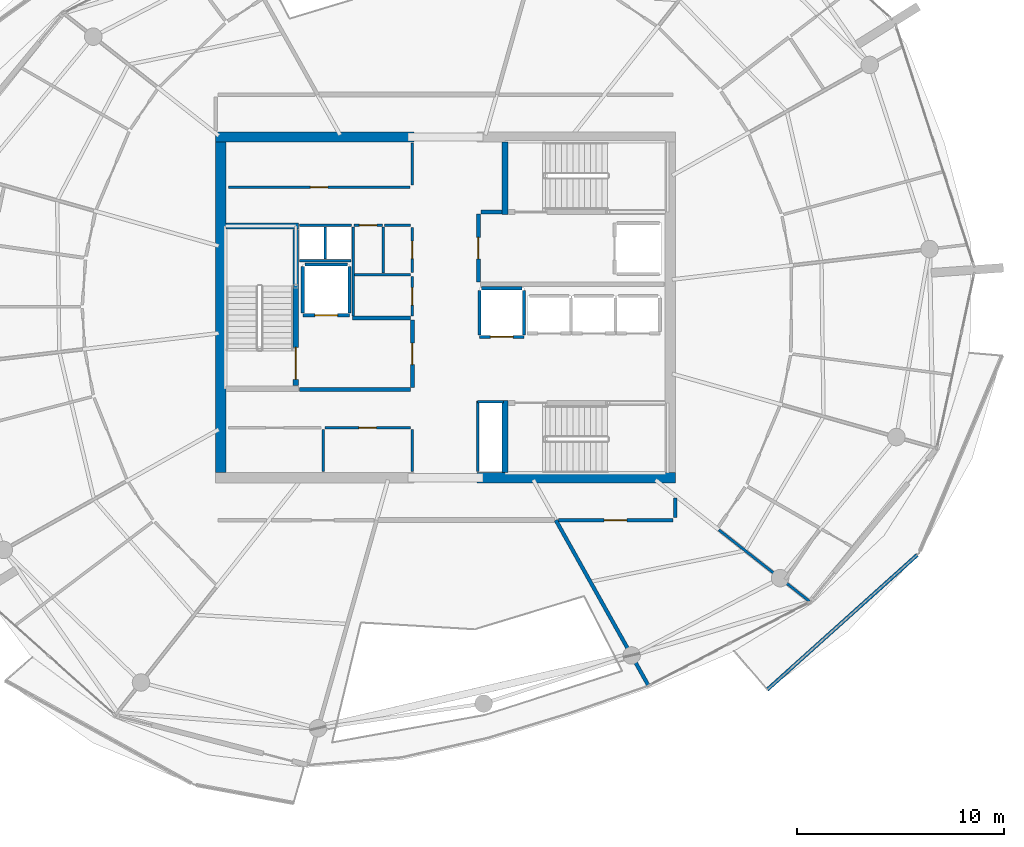
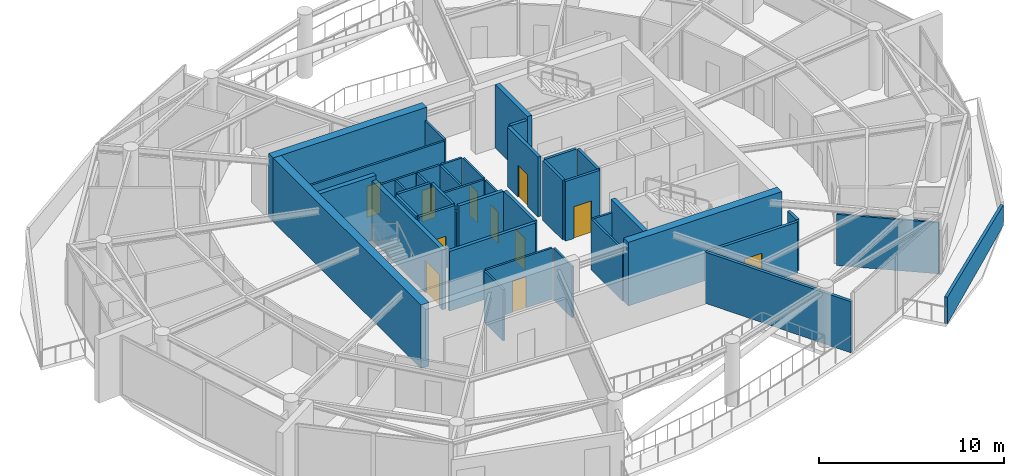
# One storey, part 14 of 22: 42 walls, 11 doors, 11 openings.
"""IFC4 building model written with IfcOpenShell, lengths in metres."""

from ifc_helpers import new_model, si_unit, direction, frame, frame_2d, origin, place, context, subcontext, project, spatial, polyline, rectangle, outline, extrude, material, layer, layer_set, type_object, element, fill, save


model = new_model("IFC4")

# Units and contexts
model_context = context("Model", 3, precision=1e-05, world=origin(), true_north=direction((0.0, 1.0)))
body_context = subcontext(model_context, "Body", "Model", "MODEL_VIEW")
ifc_project = project(units=[si_unit("LENGTHUNIT", "METRE"), si_unit("AREAUNIT", "SQUARE_METRE"), si_unit("VOLUMEUNIT", "CUBIC_METRE"), si_unit("PLANEANGLEUNIT", "RADIAN"), si_unit("MASSUNIT", "GRAM", prefix="KILO")], contexts=[model_context])

# Site, building, storey
site_placement = place(None, origin())
site = spatial("IfcSite", under=ifc_project, at=site_placement, CompositionType="ELEMENT")
building_placement = place(site_placement, origin())
building = spatial("IfcBuilding", under=site, at=building_placement, Name="Kazma Halo Residences", CompositionType="ELEMENT")
storey_placement = place(building_placement, frame((0.0, 0.0, 322.10009765625)))
storey = spatial("IfcBuildingStorey", under=building, at=storey_placement, Name="L81", CompositionType="ELEMENT", Elevation=322.10009765625)

# Walls
ifc_material_1 = material(Name="White Concrete C50/60 Balustrade", Category="concrete")
ifc_layer_1 = layer(ifc_material_1, 0.179931640625)
ifc_layer_set_1 = layer_set([ifc_layer_1], Name="White Concrete C50/60 Balustrade")
wall_type_1 = type_object("IfcWallType", Name="WL-BAL-WAVE-180", PredefinedType="PARAPET", material=ifc_layer_set_1)
wall_1_placement = place(storey_placement, frame((64.003173828125, 23.492919921875, 0.0), z_axis=(0.0, 0.0, 1.0), x_axis=(0.74390919155, 0.668280715514, 0.0)))
element("IfcWall", 1, at=wall_1_placement, inside=storey, type_object=wall_type_1, Name="L81 white wave balustrade wall SE.1", PredefinedType="PARAPET", context=body_context, shape_type="SweptSolid", body=[
    extrude(outline(polyline([(0.0, 0.0), (9.76513671875, 0.0), (9.76513671875, 1.347900390625), (4.882568359375, 1.56201171875), (0.0, 1.746826171875), (0.0, 0.0)])), frame((0.0, 0.08984375, 0.0), z_axis=(0.0, -1.0, 0.0), x_axis=(1.0, 0.0, 0.0)), (0.0, 0.0, 1.0), 0.179931640625),
])
ifc_material_2 = material(Name="Concrete C60/75", Category="concrete")
ifc_layer_2 = layer(ifc_material_2, 0.5)
ifc_layer_set_2 = layer_set([ifc_layer_2], Name="Concrete C60/75")
wall_type_2 = type_object("IfcWallType", Name="WL-CORE-500", PredefinedType="SHEAR", material=ifc_layer_set_2)
wall_2_placement = place(storey_placement, frame((49.949951171875, 33.75, 0.0), z_axis=(0.0, 0.0, 1.0), x_axis=(1.0, 0.0, 0.0)))
element("IfcWall", 2, at=wall_2_placement, inside=storey, type_object=wall_type_2, Name="L81 central core shear wall SE", PredefinedType="SHEAR", context=body_context, shape_type="SweptSolid", body=[
    extrude(rectangle(XDim=9.60009765625, YDim=0.5, at=frame_2d((4.800048828125, 0.0))), origin(), (0.0, 0.0, 1.0), 4.199951171875),
])
wall_3_placement = place(storey_placement, frame((37.300048828125, 50.25, 0.0), z_axis=(0.0, 0.0, 1.0), x_axis=(1.0, 0.0, 0.0)))
element("IfcWall", 3, at=wall_3_placement, inside=storey, type_object=wall_type_2, Name="L81 central core shear wall NW", PredefinedType="SHEAR", context=body_context, shape_type="SweptSolid", body=[
    extrude(rectangle(XDim=9.599853515625, YDim=0.5, at=frame_2d((4.7998046875, 0.0))), origin(), (0.0, 0.0, 1.0), 4.199951171875),
])
wall_4_placement = place(storey_placement, frame((37.550048828125, 34.0, 0.0), z_axis=(0.0, 0.0, 1.0), x_axis=(0.0, 1.0, 0.0)))
element("IfcWall", 4, at=wall_4_placement, inside=storey, type_object=wall_type_2, Name="L81 central core shear wall W", PredefinedType="SHEAR", context=body_context, shape_type="SweptSolid", body=[
    extrude(rectangle(XDim=16.0, YDim=0.5, at=frame_2d((8.0, 0.0))), origin(), (0.0, 0.0, 1.0), 4.199951171875),
])
ifc_layer_3 = layer(ifc_material_2, 0.280029296875)
ifc_layer_set_3 = layer_set([ifc_layer_3], Name="Concrete C60/75")
wall_type_3 = type_object("IfcWallType", Name="WL-CORE-ST-280", PredefinedType="SHEAR", material=ifc_layer_set_3)
for number, where, z_axis, x_axis, name in (
    (5, (37.800048828125, 45.93994140625, 0.0), (0.0, 0.0, 1.0), (1.0, 0.0, 0.0), "L81 stairwell bearing wall ST01-N"),
    (6, (51.31005859375, 46.5, 0.0), (0.0, 0.0, 1.0), (0.0, 1.0, 0.0), "L81 stairwell bearing wall ST02-W"),
    (7, (51.31005859375, 34.0, 0.0), (0.0, 0.0, 1.0), (0.0, 1.0, 0.0), "L81 stairwell bearing wall ST03-W"),
):
    element("IfcWall", number, at=place(storey_placement, frame(where, z_axis=z_axis, x_axis=x_axis)), inside=storey, type_object=wall_type_3, Name=name, PredefinedType="SHEAR", context=body_context, shape_type="SweptSolid", body=[
        extrude(rectangle(XDim=3.5, YDim=0.280029296875, at=frame_2d((1.75, 0.0))), origin(), (0.0, 0.0, 1.0), 4.199951171875),
    ])
ifc_material_3 = material(Name="Acoustic Twin-Stud Gypsum")
ifc_layer_4 = layer(ifc_material_3, 0.179931640625)
ifc_layer_set_4 = layer_set([ifc_layer_4], Name="Acoustic Twin-Stud Gypsum")
wall_type_4 = type_object("IfcWallType", Name="WL-DEM-180", PredefinedType="PARTITIONING", material=ifc_layer_set_4)
wall_5_placement = place(storey_placement, frame((53.768310546875, 31.699951171875, 0.0), z_axis=(0.0, 0.0, 1.0), x_axis=(0.488623665245, -0.872494649704, 0.0)))
element("IfcWall", 8, at=wall_5_placement, inside=storey, type_object=wall_type_4, Name="L81 apartment demising radial wall 12", PredefinedType="PARTITIONING", context=body_context, shape_type="SweptSolid", body=[
    extrude(rectangle(XDim=9.156982421875, YDim=0.179931640625, at=frame_2d((4.57861328125, 0.0))), origin(), (0.0, 0.0, 1.0), 3.3798828125),
])

# Wall, opening, door
wall_6_placement = place(storey_placement, frame((53.88818359375, 31.699951171875, 0.0), z_axis=(0.0, 0.0, 1.0), x_axis=(1.0, 0.0, 0.0)))
wall_6 = element("IfcWall", 9, at=wall_6_placement, inside=storey, type_object=wall_type_4, Name="L81 Penthouse 2 entrance corridor wall", PredefinedType="PARTITIONING", context=body_context, shape_type="SweptSolid", body=[
    extrude(rectangle(XDim=5.541748046875, YDim=0.179931640625, at=frame_2d((2.77099609375, 0.0))), origin(), (0.0, 0.0, 1.0), 3.3798828125),
])
opening_1_placement = place(wall_6_placement, frame((2.220703125, 0.0, 0.0)))
opening_1 = element("IfcOpeningElement", 10, at=opening_1_placement, cuts=wall_6, Name="Opening DA-1100", PredefinedType="OPENING", context=body_context, shape_type="SweptSolid", body=[
    extrude(rectangle(XDim=1.10009765625, YDim=2.10009765625, at=frame_2d((0.550048828125, 1.050048828125))), frame((0.0, 0.099853515625, 0.0), z_axis=(0.0, -1.0, 0.0), x_axis=(1.0, 0.0, 0.0)), (0.0, 0.0, 1.0), 0.199951171875),
])
ifc_material_4 = material(Name="Acoustic Walnut Fire Leaf")
door_type_1 = type_object("IfcDoorType", Name="DR-FD60-1100", OperationType="NOTDEFINED", PredefinedType="DOOR", material=ifc_material_4)
door_1_placement = place(opening_1_placement, origin())
door_1 = element("IfcDoor", 11, at=door_1_placement, inside=storey, type_object=door_type_1, Name="L81 Penthouse 2 entrance fire door", OperationType="SINGLE_SWING_RIGHT", OverallHeight=2.10009765625, OverallWidth=1.10009765625, PredefinedType="DOOR", context=body_context, shape_type="SweptSolid", body=[
    extrude(rectangle(XDim=1.10009765625, YDim=2.10009765625, at=frame_2d((0.550048828125, 1.050048828125))), frame((0.0, 0.02490234375, 0.0), z_axis=(0.0, -1.0, 0.0), x_axis=(1.0, 0.0, 0.0)), (0.0, 0.0, 1.0), 0.050048828125),
])
fill(opening_1, door_1)

# Wall
wall_7_placement = place(storey_placement, frame((59.550048828125, 31.820068359375, 0.0), z_axis=(0.0, 0.0, 1.0), x_axis=(0.0, 1.0, 0.0)))
element("IfcWall", 12, at=wall_7_placement, inside=storey, type_object=wall_type_4, Name="L81 Penthouse 2 entrance corridor wall", PredefinedType="PARTITIONING", context=body_context, shape_type="SweptSolid", body=[
    extrude(rectangle(XDim=0.95458984375, YDim=0.179931640625, at=frame_2d((0.477294921875, 0.0))), origin(), (0.0, 0.0, 1.0), 3.3798828125),
])

# Wall, opening, door
ifc_material_5 = material(Name="Fire-Rated Blockwork Masonry", Category="masonry")
ifc_layer_5 = layer(ifc_material_5, 0.199951171875)
ifc_layer_set_5 = layer_set([ifc_layer_5], Name="Fire-Rated Blockwork Masonry")
wall_type_5 = type_object("IfcWallType", Name="WL-FLB-200", PredefinedType="PARTITIONING", material=ifc_layer_set_5)
wall_8_placement = place(storey_placement, frame((43.780029296875, 41.6201171875, 0.0), z_axis=(0.0, 0.0, 1.0), x_axis=(-1.0, 0.0, 0.0)))
wall_8 = element("IfcWall", 13, at=wall_8_placement, inside=storey, type_object=wall_type_5, Name="L81 lift shaft FL-01 front wall", PredefinedType="PARTITIONING", context=body_context, shape_type="SweptSolid", body=[
    extrude(rectangle(XDim=2.260009765625, YDim=0.159912109375, at=frame_2d((1.1298828125, 0.0))), origin(), (0.0, 0.0, 1.0), 3.93994140625),
])
opening_2_placement = place(wall_8_placement, frame((0.580078125, 0.0, 0.0)))
opening_2 = element("IfcOpeningElement", 14, at=opening_2_placement, cuts=wall_8, Name="Opening LD-FL-01", PredefinedType="OPENING", context=body_context, shape_type="SweptSolid", body=[
    extrude(rectangle(XDim=1.10009765625, YDim=2.10009765625, at=frame_2d((0.550048828125, 1.050048828125))), frame((0.0, 0.08984375, 0.0), z_axis=(0.0, -1.0, 0.0), x_axis=(1.0, 0.0, 0.0)), (0.0, 0.0, 1.0), 0.179931640625),
])
ifc_material_6 = material(Name="Stainless Steel Fire-Rated", Category="steel")
door_type_2 = type_object("IfcDoorType", Name="DR-LIFT-SLD-1100", OperationType="DOUBLE_DOOR_SLIDING", PredefinedType="DOOR", material=ifc_material_6)
door_2_placement = place(opening_2_placement, origin())
door_2 = element("IfcDoor", 15, at=door_2_placement, inside=storey, type_object=door_type_2, Name="L81 lift FL-01 sliding landing door", OperationType="DOUBLE_DOOR_SLIDING", OverallHeight=2.10009765625, OverallWidth=1.10009765625, PredefinedType="DOOR", context=body_context, shape_type="SweptSolid", body=[
    extrude(rectangle(XDim=1.10009765625, YDim=2.10009765625, at=frame_2d((0.550048828125, 1.050048828125))), frame((0.0, 0.02490234375, 0.0), z_axis=(0.0, -1.0, 0.0), x_axis=(1.0, 0.0, 0.0)), (0.0, 0.0, 1.0), 0.050048828125),
])
fill(opening_2, door_2)

# Walls
for number, where, z_axis, x_axis, name in (
    (16, (43.780029296875, 41.719970703125, 0.0), (0.0, 0.0, 1.0), (0.0, 1.0, 0.0), "L81 lift shaft FL-01 side wall E"),
    (17, (41.52001953125, 41.719970703125, 0.0), (0.0, 0.0, 1.0), (0.0, 1.0, 0.0), "L81 lift shaft FL-01 side wall W"),
):
    element("IfcWall", number, at=place(storey_placement, frame(where, z_axis=z_axis, x_axis=x_axis)), inside=storey, type_object=wall_type_5, Name=name, PredefinedType="PARTITIONING", context=body_context, shape_type="SweptSolid", body=[
        extrude(rectangle(XDim=2.260009765625, YDim=0.159912109375, at=frame_2d((1.1298828125, 0.0))), origin(), (0.0, 0.0, 1.0), 3.93994140625),
    ])
wall_9_placement = place(storey_placement, frame((41.6201171875, 44.080078125, 0.0), z_axis=(0.0, 0.0, 1.0), x_axis=(1.0, 0.0, 0.0)))
element("IfcWall", 18, at=wall_9_placement, inside=storey, type_object=wall_type_5, Name="L81 lift shaft FL-01 side wall N", PredefinedType="PARTITIONING", context=body_context, shape_type="SweptSolid", body=[
    extrude(rectangle(XDim=2.059814453125, YDim=0.159912109375, at=frame_2d((1.02978515625, 0.0))), origin(), (0.0, 0.0, 1.0), 3.93994140625),
])

# Wall, opening, door
wall_10_placement = place(storey_placement, frame((52.22998046875, 40.570068359375, 0.0), z_axis=(0.0, 0.0, 1.0), x_axis=(-1.0, 0.0, 0.0)))
wall_10 = element("IfcWall", 19, at=wall_10_placement, inside=storey, type_object=wall_type_5, Name="L81 lift shaft SV-01 front wall", PredefinedType="PARTITIONING", context=body_context, shape_type="SweptSolid", body=[
    extrude(rectangle(XDim=2.159912109375, YDim=0.159912109375, at=frame_2d((1.080078125, 0.0))), origin(), (0.0, 0.0, 1.0), 3.93994140625),
])
opening_3_placement = place(wall_10_placement, frame((0.530029296875, 0.0, 0.0)))
opening_3 = element("IfcOpeningElement", 20, at=opening_3_placement, cuts=wall_10, Name="Opening LD-SV-01", PredefinedType="OPENING", context=body_context, shape_type="SweptSolid", body=[
    extrude(rectangle(XDim=1.10009765625, YDim=2.10009765625, at=frame_2d((0.550048828125, 1.050048828125))), frame((0.0, 0.08984375, 0.0), z_axis=(0.0, -1.0, 0.0), x_axis=(1.0, 0.0, 0.0)), (0.0, 0.0, 1.0), 0.179931640625),
])
door_3_placement = place(opening_3_placement, origin())
door_3 = element("IfcDoor", 21, at=door_3_placement, inside=storey, type_object=door_type_2, Name="L81 lift SV-01 sliding landing door", OperationType="DOUBLE_DOOR_SLIDING", OverallHeight=2.10009765625, OverallWidth=1.10009765625, PredefinedType="DOOR", context=body_context, shape_type="SweptSolid", body=[
    extrude(rectangle(XDim=1.10009765625, YDim=2.10009765625, at=frame_2d((0.550048828125, 1.050048828125))), frame((0.0, 0.02490234375, 0.0), z_axis=(0.0, -1.0, 0.0), x_axis=(1.0, 0.0, 0.0)), (0.0, 0.0, 1.0), 0.050048828125),
])
fill(opening_3, door_3)

# Walls
for number, where, z_axis, x_axis, name in (
    (22, (52.22998046875, 40.669921875, 0.0), (0.0, 0.0, 1.0), (0.0, 1.0, 0.0), "L81 lift shaft SV-01 side wall E"),
    (23, (50.070068359375, 40.669921875, 0.0), (0.0, 0.0, 1.0), (0.0, 1.0, 0.0), "L81 lift shaft SV-01 side wall W"),
):
    element("IfcWall", number, at=place(storey_placement, frame(where, z_axis=z_axis, x_axis=x_axis)), inside=storey, type_object=wall_type_5, Name=name, PredefinedType="PARTITIONING", context=body_context, shape_type="SweptSolid", body=[
        extrude(rectangle(XDim=2.16015625, YDim=0.159912109375, at=frame_2d((1.080078125, 0.0))), origin(), (0.0, 0.0, 1.0), 3.93994140625),
    ])
wall_11_placement = place(storey_placement, frame((50.169921875, 42.929931640625, 0.0), z_axis=(0.0, 0.0, 1.0), x_axis=(1.0, 0.0, 0.0)))
element("IfcWall", 24, at=wall_11_placement, inside=storey, type_object=wall_type_5, Name="L81 lift shaft SV-01 side wall N", PredefinedType="PARTITIONING", context=body_context, shape_type="SweptSolid", body=[
    extrude(rectangle(XDim=1.9599609375, YDim=0.159912109375, at=frame_2d((0.97998046875, 0.0))), origin(), (0.0, 0.0, 1.0), 3.93994140625),
])
wall_12_placement = place(storey_placement, frame((41.35009765625, 38.02001953125, 0.0), z_axis=(0.0, 0.0, 1.0), x_axis=(1.0, 0.0, 0.0)))
element("IfcWall", 25, at=wall_12_placement, inside=storey, type_object=wall_type_5, Name="L81 west firefighting lobby south smoke wall", PredefinedType="PARTITIONING", context=body_context, shape_type="SweptSolid", body=[
    extrude(rectangle(XDim=5.369873046875, YDim=0.199951171875, at=frame_2d((2.68505859375, 0.0))), origin(), (0.0, 0.0, 1.0), 3.93994140625),
])
wall_13_placement = place(storey_placement, frame((43.919921875, 41.47998046875, 0.0), z_axis=(0.0, 0.0, 1.0), x_axis=(1.0, 0.0, 0.0)))
element("IfcWall", 26, at=wall_13_placement, inside=storey, type_object=wall_type_5, Name="L81 west firefighting lobby north smoke wall", PredefinedType="PARTITIONING", context=body_context, shape_type="SweptSolid", body=[
    extrude(rectangle(XDim=2.800048828125, YDim=0.199951171875, at=frame_2d((1.39990234375, 0.0))), origin(), (0.0, 0.0, 1.0), 3.93994140625),
])

# Wall, opening, door
wall_14_placement = place(storey_placement, frame((46.820068359375, 38.1201171875, 0.0), z_axis=(0.0, 0.0, 1.0), x_axis=(0.0, 1.0, 0.0)))
wall_14 = element("IfcWall", 27, at=wall_14_placement, inside=storey, type_object=wall_type_5, Name="L81 west firefighting lobby smoke wall", PredefinedType="PARTITIONING", context=body_context, shape_type="SweptSolid", body=[
    extrude(rectangle(XDim=3.259765625, YDim=0.199951171875, at=frame_2d((1.6298828125, 0.0))), origin(), (0.0, 0.0, 1.0), 3.93994140625),
])
opening_4_placement = place(wall_14_placement, frame((1.10498046875, 0.0, 0.0)))
opening_4 = element("IfcOpeningElement", 28, at=opening_4_placement, cuts=wall_14, Name="Opening D-FLW", PredefinedType="OPENING", context=body_context, shape_type="SweptSolid", body=[
    extrude(rectangle(XDim=1.050048828125, YDim=2.10009765625, at=frame_2d((0.52490234375, 1.050048828125))), frame((0.0, 0.10986328125, 0.0), z_axis=(0.0, -1.0, 0.0), x_axis=(1.0, 0.0, 0.0)), (0.0, 0.0, 1.0), 0.219970703125),
])
ifc_material_7 = material(Name="Fire-Rated Steel Leaf", Category="steel")
door_type_3 = type_object("IfcDoorType", Name="DR-FD90-1050", OperationType="NOTDEFINED", PredefinedType="DOOR", material=ifc_material_7)
door_4_placement = place(opening_4_placement, origin())
door_4 = element("IfcDoor", 29, at=door_4_placement, inside=storey, type_object=door_type_3, Name="L81 west firefighting lobby smoke door", OperationType="SINGLE_SWING_RIGHT", OverallHeight=2.10009765625, OverallWidth=1.050048828125, PredefinedType="DOOR", context=body_context, shape_type="SweptSolid", body=[
    extrude(rectangle(XDim=1.050048828125, YDim=2.10009765625, at=frame_2d((0.52490234375, 1.050048828125))), frame((0.0, 0.02490234375, 0.0), z_axis=(0.0, -1.0, 0.0), x_axis=(1.0, 0.0, 0.0)), (0.0, 0.0, 1.0), 0.050048828125),
])
fill(opening_4, door_4)

# Wall
wall_15_placement = place(storey_placement, frame((50.139892578125, 46.6201171875, 0.0), z_axis=(0.0, 0.0, 1.0), x_axis=(1.0, 0.0, 0.0)))
element("IfcWall", 30, at=wall_15_placement, inside=storey, type_object=wall_type_5, Name="L81 east firefighting lobby north closure wall", PredefinedType="PARTITIONING", context=body_context, shape_type="SweptSolid", body=[
    extrude(rectangle(XDim=1.02001953125, YDim=0.199951171875, at=frame_2d((0.510009765625, 0.0))), origin(), (0.0, 0.0, 1.0), 3.93994140625),
])

# Wall, opening, door
wall_16_placement = place(storey_placement, frame((50.02001953125, 43.219970703125, 0.0), z_axis=(0.0, 0.0, 1.0), x_axis=(0.0, 1.0, 0.0)))
wall_16 = element("IfcWall", 31, at=wall_16_placement, inside=storey, type_object=wall_type_5, Name="L81 east firefighting lobby smoke wall", PredefinedType="PARTITIONING", context=body_context, shape_type="SweptSolid", body=[
    extrude(rectangle(XDim=3.300048828125, YDim=0.199951171875, at=frame_2d((1.64990234375, 0.0))), origin(), (0.0, 0.0, 1.0), 3.93994140625),
])
opening_5_placement = place(wall_16_placement, frame((1.125, 0.0, 0.0)))
opening_5 = element("IfcOpeningElement", 32, at=opening_5_placement, cuts=wall_16, Name="Opening D-FLE", PredefinedType="OPENING", context=body_context, shape_type="SweptSolid", body=[
    extrude(rectangle(XDim=1.050048828125, YDim=2.10009765625, at=frame_2d((0.52490234375, 1.050048828125))), frame((0.0, 0.10986328125, 0.0), z_axis=(0.0, -1.0, 0.0), x_axis=(1.0, 0.0, 0.0)), (0.0, 0.0, 1.0), 0.219970703125),
])
door_5_placement = place(opening_5_placement, origin())
door_5 = element("IfcDoor", 33, at=door_5_placement, inside=storey, type_object=door_type_3, Name="L81 east firefighting lobby smoke door", OperationType="SINGLE_SWING_LEFT", OverallHeight=2.10009765625, OverallWidth=1.050048828125, PredefinedType="DOOR", context=body_context, shape_type="SweptSolid", body=[
    extrude(rectangle(XDim=1.050048828125, YDim=2.10009765625, at=frame_2d((0.52490234375, 1.050048828125))), frame((0.0, 0.02490234375, 0.0), z_axis=(0.0, -1.0, 0.0), x_axis=(1.0, 0.0, 0.0)), (0.0, 0.0, 1.0), 0.050048828125),
])
fill(opening_5, door_5)

# Walls
ifc_material_8 = material(Name="Gypsum Plasterboard Partition")
ifc_layer_6 = layer(ifc_material_8, 0.125)
ifc_layer_set_6 = layer_set([ifc_layer_6], Name="Gypsum Plasterboard Partition")
wall_type_6 = type_object("IfcWallType", Name="WL-PART-125", PredefinedType="PARTITIONING", material=ifc_layer_set_6)
for number, where, z_axis, x_axis, name in (
    (34, (46.820068359375, 34.050048828125, 0.0), (0.0, 0.0, 1.0), (0.0, 1.0, 0.0), "L81 reclaimed south east wall"),
    (35, (42.5, 34.050048828125, 0.0), (0.0, 0.0, 1.0), (0.0, 1.0, 0.0), "L81 reclaimed south divider wall"),
):
    element("IfcWall", number, at=place(storey_placement, frame(where, z_axis=z_axis, x_axis=x_axis)), inside=storey, type_object=wall_type_6, Name=name, PredefinedType="PARTITIONING", context=body_context, shape_type="SweptSolid", body=[
        extrude(rectangle(XDim=2.030029296875, YDim=0.125, at=frame_2d((1.01513671875, 0.0))), origin(), (0.0, 0.0, 1.0), 3.3798828125),
    ])

# Wall, opening, door
wall_17_placement = place(storey_placement, frame((42.60009765625, 36.179931640625, 0.0), z_axis=(0.0, 0.0, 1.0), x_axis=(1.0, 0.0, 0.0)))
wall_17 = element("IfcWall", 36, at=wall_17_placement, inside=storey, type_object=wall_type_6, Name="L81 reclaimed south E front wall", PredefinedType="PARTITIONING", context=body_context, shape_type="SweptSolid", body=[
    extrude(rectangle(XDim=4.119873046875, YDim=0.125, at=frame_2d((2.06005859375, 0.0))), origin(), (0.0, 0.0, 1.0), 3.3798828125),
])
opening_6_placement = place(wall_17_placement, frame((1.635009765625, 0.0, 0.0)))
opening_6 = element("IfcOpeningElement", 37, at=opening_6_placement, cuts=wall_17, Name="Opening DS-850", PredefinedType="OPENING", context=body_context, shape_type="SweptSolid", body=[
    extrude(rectangle(XDim=0.85009765625, YDim=2.06005859375, at=frame_2d((0.425048828125, 1.030029296875))), frame((0.0, 0.072509765625, 0.0), z_axis=(0.0, -1.0, 0.0), x_axis=(1.0, 0.0, 0.0)), (0.0, 0.0, 1.0), 0.14501953125),
])
ifc_material_9 = material(Name="Painted Steel Access Leaf", Category="steel")
door_type_4 = type_object("IfcDoorType", Name="DR-SVC-850", OperationType="NOTDEFINED", PredefinedType="DOOR", material=ifc_material_9)
door_6_placement = place(opening_6_placement, origin())
door_6 = element("IfcDoor", 38, at=door_6_placement, inside=storey, type_object=door_type_4, Name="L81 reclaimed south E door", OperationType="SINGLE_SWING_LEFT", OverallHeight=2.06005859375, OverallWidth=0.85009765625, PredefinedType="DOOR", context=body_context, shape_type="SweptSolid", body=[
    extrude(rectangle(XDim=0.85009765625, YDim=2.06005859375, at=frame_2d((0.425048828125, 1.030029296875))), frame((0.0, 0.02490234375, 0.0), z_axis=(0.0, -1.0, 0.0), x_axis=(1.0, 0.0, 0.0)), (0.0, 0.0, 1.0), 0.050048828125),
])
fill(opening_6, door_6)

# Wall
wall_18_placement = place(storey_placement, frame((46.820068359375, 47.919921875, 0.0), z_axis=(0.0, 0.0, 1.0), x_axis=(0.0, 1.0, 0.0)))
element("IfcWall", 39, at=wall_18_placement, inside=storey, type_object=wall_type_6, Name="L81 reclaimed north east wall", PredefinedType="PARTITIONING", context=body_context, shape_type="SweptSolid", body=[
    extrude(rectangle(XDim=2.030029296875, YDim=0.125, at=frame_2d((1.01513671875, 0.0))), origin(), (0.0, 0.0, 1.0), 3.3798828125),
])

# Wall, opening, door
wall_19_placement = place(storey_placement, frame((37.919921875, 47.820068359375, 0.0), z_axis=(0.0, 0.0, 1.0), x_axis=(1.0, 0.0, 0.0)))
wall_19 = element("IfcWall", 40, at=wall_19_placement, inside=storey, type_object=wall_type_6, Name="L81 reclaimed north front wall", PredefinedType="PARTITIONING", context=body_context, shape_type="SweptSolid", body=[
    extrude(rectangle(XDim=8.780029296875, YDim=0.125, at=frame_2d((4.39013671875, 0.0))), origin(), (0.0, 0.0, 1.0), 3.3798828125),
])
opening_7_placement = place(wall_19_placement, frame((3.965087890625, 0.0, 0.0)))
opening_7 = element("IfcOpeningElement", 41, at=opening_7_placement, cuts=wall_19, Name="Opening DS-850", PredefinedType="OPENING", context=body_context, shape_type="SweptSolid", body=[
    extrude(rectangle(XDim=0.85009765625, YDim=2.06005859375, at=frame_2d((0.425048828125, 1.030029296875))), frame((0.0, 0.072509765625, 0.0), z_axis=(0.0, -1.0, 0.0), x_axis=(1.0, 0.0, 0.0)), (0.0, 0.0, 1.0), 0.14501953125),
])
door_7_placement = place(opening_7_placement, origin())
door_7 = element("IfcDoor", 42, at=door_7_placement, inside=storey, type_object=door_type_4, Name="L81 reclaimed north service door", OperationType="SINGLE_SWING_RIGHT", OverallHeight=2.06005859375, OverallWidth=0.85009765625, PredefinedType="DOOR", context=body_context, shape_type="SweptSolid", body=[
    extrude(rectangle(XDim=0.85009765625, YDim=2.06005859375, at=frame_2d((0.425048828125, 1.030029296875))), frame((0.0, 0.02490234375, 0.0), z_axis=(0.0, -1.0, 0.0), x_axis=(1.0, 0.0, 0.0)), (0.0, 0.0, 1.0), 0.050048828125),
])
fill(opening_7, door_7)

# Walls
wall_20_placement = place(storey_placement, frame((41.360107421875, 44.260009765625, 0.0), z_axis=(0.0, 0.0, 1.0), x_axis=(1.0, 0.0, 0.0)))
element("IfcWall", 43, at=wall_20_placement, inside=storey, type_object=wall_type_6, Name="L81 core riser south wall", PredefinedType="PARTITIONING", context=body_context, shape_type="SweptSolid", body=[
    extrude(rectangle(XDim=2.5, YDim=0.125, at=frame_2d((1.25, 0.0))), origin(), (0.0, 0.0, 1.0), 3.3798828125),
])
wall_21_placement = place(storey_placement, frame((42.60009765625, 44.35009765625, 0.0), z_axis=(0.0, 0.0, 1.0), x_axis=(0.0, 1.0, 0.0)))
element("IfcWall", 44, at=wall_21_placement, inside=storey, type_object=wall_type_6, Name="L81 core riser divider wall", PredefinedType="PARTITIONING", context=body_context, shape_type="SweptSolid", body=[
    extrude(rectangle(XDim=1.5498046875, YDim=0.125, at=frame_2d((0.77490234375, 0.0))), origin(), (0.0, 0.0, 1.0), 3.3798828125),
])
wall_22_placement = place(storey_placement, frame((49.97998046875, 34.06005859375, 0.0), z_axis=(0.0, 0.0, 1.0), x_axis=(0.0, 1.0, 0.0)))
element("IfcWall", 45, at=wall_22_placement, inside=storey, type_object=wall_type_6, Name="L81 standpipe riser wall", PredefinedType="PARTITIONING", context=body_context, shape_type="SweptSolid", body=[
    extrude(rectangle(XDim=3.39990234375, YDim=0.125, at=frame_2d((1.699951171875, 0.0))), origin(), (0.0, 0.0, 1.0), 3.3798828125),
])
wall_23_placement = place(storey_placement, frame((49.97998046875, 37.43994140625, 0.0), z_axis=(0.0, 0.0, 1.0), x_axis=(1.0, 0.0, 0.0)))
element("IfcWall", 46, at=wall_23_placement, inside=storey, type_object=wall_type_6, Name="L81 standpipe riser north wall", PredefinedType="PARTITIONING", context=body_context, shape_type="SweptSolid", body=[
    extrude(rectangle(XDim=1.260009765625, YDim=0.125, at=frame_2d((0.6298828125, 0.0))), origin(), (0.0, 0.0, 1.0), 3.3798828125),
])
wall_24_placement = place(storey_placement, frame((43.949951171875, 41.580078125, 0.0), z_axis=(0.0, 0.0, 1.0), x_axis=(0.0, 1.0, 0.0)))
element("IfcWall", 47, at=wall_24_placement, inside=storey, type_object=wall_type_6, Name="L81 core service west wall", PredefinedType="PARTITIONING", context=body_context, shape_type="SweptSolid", body=[
    extrude(rectangle(XDim=4.31982421875, YDim=0.125, at=frame_2d((2.159912109375, 0.0))), origin(), (0.0, 0.0, 1.0), 3.3798828125),
])
wall_25_placement = place(storey_placement, frame((44.030029296875, 43.590087890625, 0.0), z_axis=(0.0, 0.0, 1.0), x_axis=(1.0, 0.0, 0.0)))
element("IfcWall", 48, at=wall_25_placement, inside=storey, type_object=wall_type_6, Name="L81 core service horiz divider", PredefinedType="PARTITIONING", context=body_context, shape_type="SweptSolid", body=[
    extrude(rectangle(XDim=2.7099609375, YDim=0.125, at=frame_2d((1.35498046875, 0.0))), origin(), (0.0, 0.0, 1.0), 3.3798828125),
])
wall_26_placement = place(storey_placement, frame((45.409912109375, 43.669921875, 0.0), z_axis=(0.0, 0.0, 1.0), x_axis=(0.0, 1.0, 0.0)))
element("IfcWall", 49, at=wall_26_placement, inside=storey, type_object=wall_type_6, Name="L81 core service vert divider", PredefinedType="PARTITIONING", context=body_context, shape_type="SweptSolid", body=[
    extrude(rectangle(XDim=2.22998046875, YDim=0.125, at=frame_2d((1.114990234375, 0.0))), origin(), (0.0, 0.0, 1.0), 3.3798828125),
])

# Wall, opening, door
wall_27_placement = place(storey_placement, frame((46.820068359375, 41.580078125, 0.0), z_axis=(0.0, 0.0, 1.0), x_axis=(0.0, 1.0, 0.0)))
wall_27 = element("IfcWall", 50, at=wall_27_placement, inside=storey, type_object=wall_type_6, Name="L81 refuse room east wall", PredefinedType="PARTITIONING", context=body_context, shape_type="SweptSolid", body=[
    extrude(rectangle(XDim=1.909912109375, YDim=0.125, at=frame_2d((0.955078125, 0.0))), origin(), (0.0, 0.0, 1.0), 3.3798828125),
])
opening_8_placement = place(wall_27_placement, frame((0.530029296875, 0.0, 0.0)))
opening_8 = element("IfcOpeningElement", 51, at=opening_8_placement, cuts=wall_27, Name="Opening DS-850", PredefinedType="OPENING", context=body_context, shape_type="SweptSolid", body=[
    extrude(rectangle(XDim=0.85009765625, YDim=2.06005859375, at=frame_2d((0.425048828125, 1.030029296875))), frame((0.0, 0.072509765625, 0.0), z_axis=(0.0, -1.0, 0.0), x_axis=(1.0, 0.0, 0.0)), (0.0, 0.0, 1.0), 0.14501953125),
])
door_8_placement = place(opening_8_placement, origin())
door_8 = element("IfcDoor", 52, at=door_8_placement, inside=storey, type_object=door_type_4, Name="L81 refuse room door", OperationType="SINGLE_SWING_RIGHT", OverallHeight=2.06005859375, OverallWidth=0.85009765625, PredefinedType="DOOR", context=body_context, shape_type="SweptSolid", body=[
    extrude(rectangle(XDim=0.85009765625, YDim=2.06005859375, at=frame_2d((0.425048828125, 1.030029296875))), frame((0.0, 0.02490234375, 0.0), z_axis=(0.0, -1.0, 0.0), x_axis=(1.0, 0.0, 0.0)), (0.0, 0.0, 1.0), 0.050048828125),
])
fill(opening_8, door_8)

wall_28_placement = place(storey_placement, frame((46.820068359375, 43.68994140625, 0.0), z_axis=(0.0, 0.0, 1.0), x_axis=(0.0, 1.0, 0.0)))
wall_28 = element("IfcWall", 53, at=wall_28_placement, inside=storey, type_object=wall_type_6, Name="L81 sub-metering east wall", PredefinedType="PARTITIONING", context=body_context, shape_type="SweptSolid", body=[
    extrude(rectangle(XDim=2.18994140625, YDim=0.125, at=frame_2d((1.094970703125, 0.0))), origin(), (0.0, 0.0, 1.0), 3.3798828125),
])
opening_9_placement = place(wall_28_placement, frame((0.669921875, 0.0, 0.0)))
opening_9 = element("IfcOpeningElement", 54, at=opening_9_placement, cuts=wall_28, Name="Opening DS-850", PredefinedType="OPENING", context=body_context, shape_type="SweptSolid", body=[
    extrude(rectangle(XDim=0.85009765625, YDim=2.06005859375, at=frame_2d((0.425048828125, 1.030029296875))), frame((0.0, 0.072509765625, 0.0), z_axis=(0.0, -1.0, 0.0), x_axis=(1.0, 0.0, 0.0)), (0.0, 0.0, 1.0), 0.14501953125),
])
door_9_placement = place(opening_9_placement, origin())
door_9 = element("IfcDoor", 55, at=door_9_placement, inside=storey, type_object=door_type_4, Name="L81 sub-metering door", OperationType="SINGLE_SWING_LEFT", OverallHeight=2.06005859375, OverallWidth=0.85009765625, PredefinedType="DOOR", context=body_context, shape_type="SweptSolid", body=[
    extrude(rectangle(XDim=0.85009765625, YDim=2.06005859375, at=frame_2d((0.425048828125, 1.030029296875))), frame((0.0, 0.02490234375, 0.0), z_axis=(0.0, -1.0, 0.0), x_axis=(1.0, 0.0, 0.0)), (0.0, 0.0, 1.0), 0.050048828125),
])
fill(opening_9, door_9)

# Wall
wall_29_placement = place(storey_placement, frame((41.35009765625, 45.97998046875, 0.0), z_axis=(0.0, 0.0, 1.0), x_axis=(1.0, 0.0, 0.0)))
element("IfcWall", 56, at=wall_29_placement, inside=storey, type_object=wall_type_6, Name="L81 core riser NW wall", PredefinedType="PARTITIONING", context=body_context, shape_type="SweptSolid", body=[
    extrude(rectangle(XDim=2.52978515625, YDim=0.125, at=frame_2d((1.264892578125, 0.0))), origin(), (0.0, 0.0, 1.0), 3.3798828125),
])

# Wall, opening, door
wall_30_placement = place(storey_placement, frame((43.989990234375, 45.97998046875, 0.0), z_axis=(0.0, 0.0, 1.0), x_axis=(1.0, 0.0, 0.0)))
wall_30 = element("IfcWall", 57, at=wall_30_placement, inside=storey, type_object=wall_type_6, Name="L81 cleaners cupboard north wall", PredefinedType="PARTITIONING", context=body_context, shape_type="SweptSolid", body=[
    extrude(rectangle(XDim=1.380126953125, YDim=0.125, at=frame_2d((0.68994140625, 0.0))), origin(), (0.0, 0.0, 1.0), 3.3798828125),
])
opening_10_placement = place(wall_30_placement, frame((0.264892578125, 0.0, 0.0)))
opening_10 = element("IfcOpeningElement", 58, at=opening_10_placement, cuts=wall_30, Name="Opening DS-850", PredefinedType="OPENING", context=body_context, shape_type="SweptSolid", body=[
    extrude(rectangle(XDim=0.85009765625, YDim=2.06005859375, at=frame_2d((0.425048828125, 1.030029296875))), frame((0.0, 0.072509765625, 0.0), z_axis=(0.0, -1.0, 0.0), x_axis=(1.0, 0.0, 0.0)), (0.0, 0.0, 1.0), 0.14501953125),
])
door_10_placement = place(opening_10_placement, origin())
door_10 = element("IfcDoor", 59, at=door_10_placement, inside=storey, type_object=door_type_4, Name="L81 cleaners cupboard door", OperationType="SINGLE_SWING_RIGHT", OverallHeight=2.06005859375, OverallWidth=0.85009765625, PredefinedType="DOOR", context=body_context, shape_type="SweptSolid", body=[
    extrude(rectangle(XDim=0.85009765625, YDim=2.06005859375, at=frame_2d((0.425048828125, 1.030029296875))), frame((0.0, 0.02490234375, 0.0), z_axis=(0.0, -1.0, 0.0), x_axis=(1.0, 0.0, 0.0)), (0.0, 0.0, 1.0), 0.050048828125),
])
fill(opening_10, door_10)

# Walls
wall_31_placement = place(storey_placement, frame((45.47998046875, 45.97998046875, 0.0), z_axis=(0.0, 0.0, 1.0), x_axis=(1.0, 0.0, 0.0)))
element("IfcWall", 60, at=wall_31_placement, inside=storey, type_object=wall_type_6, Name="L81 sub-metering north wall", PredefinedType="PARTITIONING", context=body_context, shape_type="SweptSolid", body=[
    extrude(rectangle(XDim=1.260009765625, YDim=0.125, at=frame_2d((0.6298828125, 0.0))), origin(), (0.0, 0.0, 1.0), 3.3798828125),
])
wall_32_placement = place(storey_placement, frame((61.661376953125, 31.230224609375, 0.0), z_axis=(0.0, 0.0, 1.0), x_axis=(0.785321366699, -0.61908832246, 0.0)))
element("IfcWall", 61, at=wall_32_placement, inside=storey, type_object=wall_type_6, Name="L81 Penthouse 2 radial partition 13", PredefinedType="PARTITIONING", context=body_context, shape_type="SweptSolid", body=[
    extrude(rectangle(XDim=5.59716796875, YDim=0.125, at=frame_2d((2.798583984375, 0.0))), origin(), (0.0, 0.0, 1.0), 3.3798828125),
])

# Wall, opening, door
ifc_material_10 = material(Name="Concrete C50/60", Category="concrete")
ifc_layer_7 = layer(ifc_material_10, 0.25)
ifc_layer_set_7 = layer_set([ifc_layer_7], Name="Concrete C50/60")
wall_type_7 = type_object("IfcWallType", Name="WL-SHF-250", PredefinedType="SOLIDWALL", material=ifc_layer_set_7)
wall_33_placement = place(storey_placement, frame((41.179931640625, 38.219970703125, 0.0), z_axis=(0.0, 0.0, 1.0), x_axis=(0.0, 1.0, 0.0)))
wall_33 = element("IfcWall", 62, at=wall_33_placement, inside=storey, type_object=wall_type_7, Name="L81 exit stair ST-01 enclosure wall", PredefinedType="SOLIDWALL", context=body_context, shape_type="SweptSolid", body=[
    extrude(rectangle(XDim=7.56005859375, YDim=0.25, at=frame_2d((3.780029296875, 0.0))), origin(), (0.0, 0.0, 1.0), 3.93994140625),
])
opening_11_placement = place(wall_33_placement, frame((0.300048828125, 0.0, 0.0)))
opening_11 = element("IfcOpeningElement", 63, at=opening_11_placement, cuts=wall_33, Name="Opening D-ST1", PredefinedType="OPENING", context=body_context, shape_type="SweptSolid", body=[
    extrude(rectangle(XDim=1.550048828125, YDim=2.14990234375, at=frame_2d((0.77490234375, 1.074951171875))), frame((0.0, 0.135009765625, 0.0), z_axis=(0.0, -1.0, 0.0), x_axis=(1.0, 0.0, 0.0)), (0.0, 0.0, 1.0), 0.27001953125),
])
ifc_material_11 = material(Name="Fire-Rated Double Steel Leaf", Category="steel")
door_type_5 = type_object("IfcDoorType", Name="DR-FD90-1550", OperationType="NOTDEFINED", PredefinedType="DOOR", material=ifc_material_11)
door_11_placement = place(opening_11_placement, origin())
door_11 = element("IfcDoor", 64, at=door_11_placement, inside=storey, type_object=door_type_5, Name="L81 exit stair ST-01 fire door", OperationType="DOUBLE_DOOR_SINGLE_SWING", OverallHeight=2.14990234375, OverallWidth=1.550048828125, PredefinedType="DOOR", context=body_context, shape_type="SweptSolid", body=[
    extrude(rectangle(XDim=1.550048828125, YDim=2.14990234375, at=frame_2d((0.77490234375, 1.074951171875))), frame((0.0, 0.02490234375, 0.0), z_axis=(0.0, -1.0, 0.0), x_axis=(1.0, 0.0, 0.0)), (0.0, 0.0, 1.0), 0.050048828125),
])
fill(opening_11, door_11)

save(model, "model.ifc")
